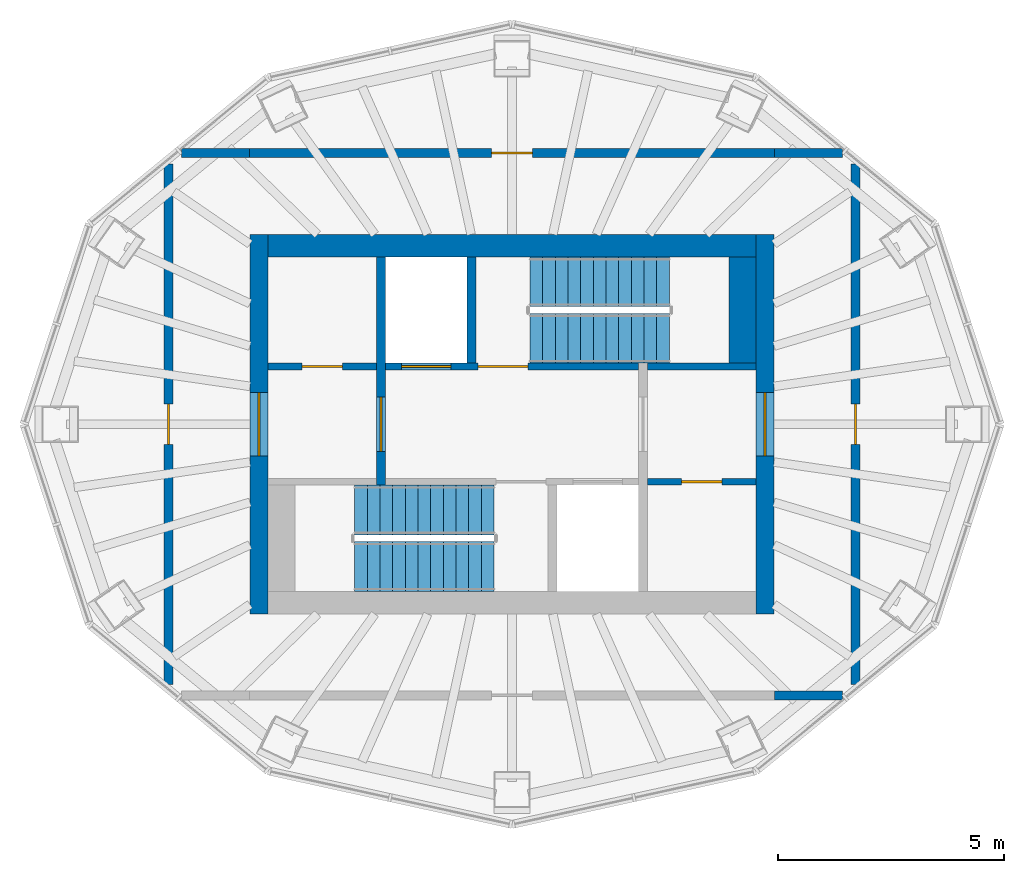
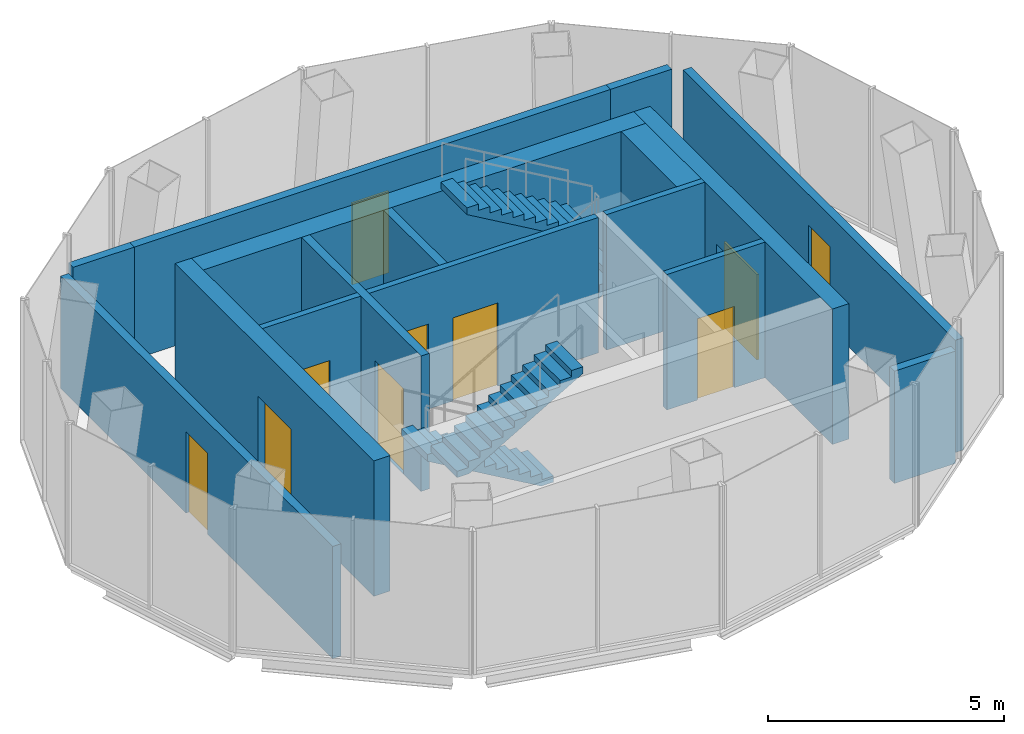
# One storey, part 4 of 5: 16 walls, 10 doors, 4 stair flights, 10 openings, 2 elements without a shape of their own.
"""IFC4 building model written with IfcOpenShell, lengths in metres."""

from ifc_helpers import new_model, si_unit, direction, frame, frame_2d, origin, place, context, subcontext, project, spatial, polyline, rectangle, outline, extrude, material, layer, layer_set, type_object, element, fill, aggregate, save


model = new_model("IFC4")

# Units and contexts
model_context = context("Model", 3, precision=1e-05, world=origin(), true_north=direction((0.0, 1.0)))
body_context = subcontext(model_context, "Body", "Model", "MODEL_VIEW")
ifc_project = project(units=[si_unit("LENGTHUNIT", "METRE"), si_unit("AREAUNIT", "SQUARE_METRE"), si_unit("VOLUMEUNIT", "CUBIC_METRE"), si_unit("PLANEANGLEUNIT", "RADIAN"), si_unit("MASSUNIT", "GRAM", prefix="KILO")], contexts=[model_context])

# Site, building, storey
site_placement = place(None, origin())
site = spatial("IfcSite", under=ifc_project, at=site_placement, CompositionType="ELEMENT")
building_placement = place(site_placement, origin())
building = spatial("IfcBuilding", under=site, at=building_placement, Name="Siaravel Broadcast Tower", CompositionType="ELEMENT")
storey_placement = place(building_placement, frame((0.0, 0.0, 288.199951171875)))
storey = spatial("IfcBuildingStorey", under=building, at=storey_placement, Name="L70", CompositionType="ELEMENT", Elevation=288.199951171875)

# Wall, opening, door
ifc_material_1 = material(Name="Concrete C60/75", Category="concrete")
ifc_layer_1 = layer(ifc_material_1, 0.39990234375)
ifc_layer_set_1 = layer_set([ifc_layer_1], Name="Concrete C60/75")
wall_type_1 = type_object("IfcWallType", Name="Core wall 400", PredefinedType="SHEAR", material=ifc_layer_set_1)
wall_1_placement = place(storey_placement, frame((-5.60009765625, -4.199951171875, 0.0), z_axis=(0.0, 0.0, 1.0), x_axis=(0.0, 1.0, 0.0)))
wall_1 = element("IfcWall", 1, at=wall_1_placement, inside=storey, type_object=wall_type_1, Name="L70 core wall OW", PredefinedType="SHEAR", context=body_context, shape_type="SweptSolid", body=[
    extrude(rectangle(XDim=8.39990234375, YDim=0.39990234375, at=frame_2d((4.199951171875, 0.0))), origin(), (0.0, 0.0, 1.0), 3.5),
])
opening_1_placement = place(wall_1_placement, frame((3.5, 0.0, 0.0)))
opening_1 = element("IfcOpeningElement", 2, at=opening_1_placement, cuts=wall_1, Name="Opening L70-DX-W", PredefinedType="OPENING", context=body_context, shape_type="SweptSolid", body=[
    extrude(rectangle(XDim=1.39990234375, YDim=2.199951171875, at=frame_2d((0.699951171875, 1.10009765625))), frame((0.0, 0.2099609375, 0.0), z_axis=(0.0, -1.0, 0.0), x_axis=(1.0, 0.0, 0.0)), (0.0, 0.0, 1.0), 0.419921875),
])
ifc_material_2 = material(Name="Steel", Category="steel")
door_type_1 = type_object("IfcDoorType", Name="Core exit door 1400", OperationType="DOUBLE_DOOR_SINGLE_SWING", PredefinedType="DOOR", material=ifc_material_2)
door_1_placement = place(opening_1_placement, origin())
door_1 = element("IfcDoor", 3, at=door_1_placement, inside=storey, type_object=door_type_1, Name="L70 door DX-W", OperationType="DOUBLE_DOOR_SINGLE_SWING", OverallHeight=2.199951171875, OverallWidth=1.39990234375, PredefinedType="DOOR", context=body_context, shape_type="SweptSolid", body=[
    extrude(rectangle(XDim=1.39990234375, YDim=2.199951171875, at=frame_2d((0.699951171875, 1.10009765625))), frame((0.0, 0.02490234375, 0.0), z_axis=(0.0, -1.0, 0.0), x_axis=(1.0, 0.0, 0.0)), (0.0, 0.0, 1.0), 0.050048828125),
])
fill(opening_1, door_1)

wall_2_placement = place(storey_placement, frame((5.60009765625, -4.199951171875, 0.0), z_axis=(0.0, 0.0, 1.0), x_axis=(0.0, 1.0, 0.0)))
wall_2 = element("IfcWall", 4, at=wall_2_placement, inside=storey, type_object=wall_type_1, Name="L70 core wall OE", PredefinedType="SHEAR", context=body_context, shape_type="SweptSolid", body=[
    extrude(rectangle(XDim=8.39990234375, YDim=0.39990234375, at=frame_2d((4.199951171875, 0.0))), origin(), (0.0, 0.0, 1.0), 3.5),
])
opening_2_placement = place(wall_2_placement, frame((3.5, 0.0, 0.0)))
opening_2 = element("IfcOpeningElement", 5, at=opening_2_placement, cuts=wall_2, Name="Opening L70-DX-E", PredefinedType="OPENING", context=body_context, shape_type="SweptSolid", body=[
    extrude(rectangle(XDim=1.39990234375, YDim=2.199951171875, at=frame_2d((0.699951171875, 1.10009765625))), frame((0.0, 0.2099609375, 0.0), z_axis=(0.0, -1.0, 0.0), x_axis=(1.0, 0.0, 0.0)), (0.0, 0.0, 1.0), 0.419921875),
])
door_2_placement = place(opening_2_placement, origin())
door_2 = element("IfcDoor", 6, at=door_2_placement, inside=storey, type_object=door_type_1, Name="L70 door DX-E", OperationType="DOUBLE_DOOR_SINGLE_SWING", OverallHeight=2.199951171875, OverallWidth=1.39990234375, PredefinedType="DOOR", context=body_context, shape_type="SweptSolid", body=[
    extrude(rectangle(XDim=1.39990234375, YDim=2.199951171875, at=frame_2d((0.699951171875, 1.10009765625))), frame((0.0, 0.02490234375, 0.0), z_axis=(0.0, -1.0, 0.0), x_axis=(1.0, 0.0, 0.0)), (0.0, 0.0, 1.0), 0.050048828125),
])
fill(opening_2, door_2)

# Wall
ifc_layer_2 = layer(ifc_material_1, 0.5)
ifc_layer_set_2 = layer_set([ifc_layer_2], Name="Concrete C60/75")
wall_type_2 = type_object("IfcWallType", Name="Core wall 500", PredefinedType="SHEAR", material=ifc_layer_set_2)
wall_3_placement = place(storey_placement, frame((-5.39990234375, 3.949951171875, 0.0), z_axis=(0.0, 0.0, 1.0), x_axis=(1.0, 0.0, 0.0)))
element("IfcWall", 7, at=wall_3_placement, inside=storey, type_object=wall_type_2, Name="L70 core wall ON", PredefinedType="SHEAR", context=body_context, shape_type="SweptSolid", body=[
    extrude(rectangle(XDim=10.7998046875, YDim=0.5, at=frame_2d((5.39990234375, 0.0))), origin(), (0.0, 0.0, 1.0), 3.5),
])

# Wall, opening, door
ifc_material_3 = material(Name="Gypsum board partition", Category="gypsum")
ifc_layer_3 = layer(ifc_material_3, 0.14990234375)
ifc_layer_set_3 = layer_set([ifc_layer_3], Name="Gypsum board partition")
wall_type_3 = type_object("IfcWallType", Name="Corridor wall 150", PredefinedType="PARTITIONING", material=ifc_layer_set_3)
wall_4_placement = place(storey_placement, frame((3.0, -1.27490234375, 0.0), z_axis=(0.0, 0.0, 1.0), x_axis=(1.0, 0.0, 0.0)))
wall_4 = element("IfcWall", 8, at=wall_4_placement, inside=storey, type_object=wall_type_3, Name="L70 core partition CSE", PredefinedType="PARTITIONING", context=body_context, shape_type="SweptSolid", body=[
    extrude(rectangle(XDim=2.39990234375, YDim=0.14990234375, at=frame_2d((1.199951171875, 0.0))), origin(), (0.0, 0.0, 1.0), 3.5),
])
opening_3_placement = place(wall_4_placement, frame((0.75, 0.0, 0.0)))
opening_3 = element("IfcOpeningElement", 9, at=opening_3_placement, cuts=wall_4, Name="Opening L70-DCSE", PredefinedType="OPENING", context=body_context, shape_type="SweptSolid", body=[
    extrude(rectangle(XDim=0.89990234375, YDim=2.10009765625, at=frame_2d((0.449951171875, 1.050048828125))), frame((0.0, 0.0849609375, 0.0), z_axis=(0.0, -1.0, 0.0), x_axis=(1.0, 0.0, 0.0)), (0.0, 0.0, 1.0), 0.169921875),
])
ifc_material_4 = material(Name="Timber veneer", Category="wood")
door_type_2 = type_object("IfcDoorType", Name="Core room door 900", OperationType="SINGLE_SWING_LEFT", PredefinedType="DOOR", material=ifc_material_4)
door_3_placement = place(opening_3_placement, origin())
door_3 = element("IfcDoor", 10, at=door_3_placement, inside=storey, type_object=door_type_2, Name="L70 door DCSE", OperationType="SINGLE_SWING_LEFT", OverallHeight=2.10009765625, OverallWidth=0.89990234375, PredefinedType="DOOR", context=body_context, shape_type="SweptSolid", body=[
    extrude(rectangle(XDim=0.89990234375, YDim=2.10009765625, at=frame_2d((0.449951171875, 1.050048828125))), frame((0.0, 0.02490234375, 0.0), z_axis=(0.0, -1.0, 0.0), x_axis=(1.0, 0.0, 0.0)), (0.0, 0.0, 1.0), 0.050048828125),
])
fill(opening_3, door_3)

wall_5_placement = place(storey_placement, frame((-5.39990234375, 1.27490234375, 0.0), z_axis=(0.0, 0.0, 1.0), x_axis=(1.0, 0.0, 0.0)))
wall_5 = element("IfcWall", 11, at=wall_5_placement, inside=storey, type_object=wall_type_3, Name="L70 core partition CNW", PredefinedType="PARTITIONING", context=body_context, shape_type="SweptSolid", body=[
    extrude(rectangle(XDim=2.39990234375, YDim=0.14990234375, at=frame_2d((1.199951171875, 0.0))), origin(), (0.0, 0.0, 1.0), 3.5),
])
opening_4_placement = place(wall_5_placement, frame((0.75, 0.0, 0.0)))
opening_4 = element("IfcOpeningElement", 12, at=opening_4_placement, cuts=wall_5, Name="Opening L70-DCNW", PredefinedType="OPENING", context=body_context, shape_type="SweptSolid", body=[
    extrude(rectangle(XDim=0.89990234375, YDim=2.10009765625, at=frame_2d((0.449951171875, 1.050048828125))), frame((0.0, 0.0849609375, 0.0), z_axis=(0.0, -1.0, 0.0), x_axis=(1.0, 0.0, 0.0)), (0.0, 0.0, 1.0), 0.169921875),
])
door_4_placement = place(opening_4_placement, origin())
door_4 = element("IfcDoor", 13, at=door_4_placement, inside=storey, type_object=door_type_2, Name="L70 door DCNW", OperationType="SINGLE_SWING_LEFT", OverallHeight=2.10009765625, OverallWidth=0.89990234375, PredefinedType="DOOR", context=body_context, shape_type="SweptSolid", body=[
    extrude(rectangle(XDim=0.89990234375, YDim=2.10009765625, at=frame_2d((0.449951171875, 1.050048828125))), frame((0.0, 0.02490234375, 0.0), z_axis=(0.0, -1.0, 0.0), x_axis=(1.0, 0.0, 0.0)), (0.0, 0.0, 1.0), 0.050048828125),
])
fill(opening_4, door_4)

ifc_material_5 = material(Name="Concrete blockwork", Category="masonry")
ifc_layer_4 = layer(ifc_material_5, 0.199951171875)
ifc_layer_set_4 = layer_set([ifc_layer_4], Name="Concrete blockwork")
wall_type_4 = type_object("IfcWallType", Name="Plant room wall 200", PredefinedType="PARTITIONING", material=ifc_layer_set_4)
wall_6_placement = place(storey_placement, frame((5.81201171875, 6.0, 0.0), z_axis=(0.0, 0.0, 1.0), x_axis=(-1.0, 0.0, 0.0)))
wall_6 = element("IfcWall", 14, at=wall_6_placement, inside=storey, type_object=wall_type_4, Name="L70 partition 2", PredefinedType="PARTITIONING", context=body_context, shape_type="SweptSolid", body=[
    extrude(rectangle(XDim=11.6240234375, YDim=0.199951171875, at=frame_2d((5.81201171875, 0.0))), origin(), (0.0, 0.0, 1.0), 2.900146484375),
])
opening_5_placement = place(wall_6_placement, frame((5.362060546875, 0.0, 0.0)))
opening_5 = element("IfcOpeningElement", 15, at=opening_5_placement, cuts=wall_6, Name="Opening L70-003", PredefinedType="OPENING", context=body_context, shape_type="SweptSolid", body=[
    extrude(rectangle(XDim=0.89990234375, YDim=2.10009765625, at=frame_2d((0.449951171875, 1.050048828125))), frame((0.0, 0.10986328125, 0.0), z_axis=(0.0, -1.0, 0.0), x_axis=(1.0, 0.0, 0.0)), (0.0, 0.0, 1.0), 0.219970703125),
])
door_type_3 = type_object("IfcDoorType", Name="Plant room door 900", OperationType="SINGLE_SWING_LEFT", PredefinedType="DOOR", material=ifc_material_2)
door_5_placement = place(opening_5_placement, origin())
door_5 = element("IfcDoor", 16, at=door_5_placement, inside=storey, type_object=door_type_3, Name="L70 door to Mechanical plant room", OperationType="SINGLE_SWING_LEFT", OverallHeight=2.10009765625, OverallWidth=0.89990234375, PredefinedType="DOOR", context=body_context, shape_type="SweptSolid", body=[
    extrude(rectangle(XDim=0.89990234375, YDim=2.10009765625, at=frame_2d((0.449951171875, 1.050048828125))), frame((0.0, 0.02490234375, 0.0), z_axis=(0.0, -1.0, 0.0), x_axis=(1.0, 0.0, 0.0)), (0.0, 0.0, 1.0), 0.050048828125),
])
fill(opening_5, door_5)

wall_7_placement = place(storey_placement, frame((7.60009765625, -5.75537109375, 0.0), z_axis=(0.0, 0.0, 1.0), x_axis=(0.0, 1.0, 0.0)))
wall_7 = element("IfcWall", 17, at=wall_7_placement, inside=storey, type_object=wall_type_4, Name="L70 partition 3", PredefinedType="PARTITIONING", context=body_context, shape_type="SweptSolid", body=[
    extrude(rectangle(XDim=11.5107421875, YDim=0.199951171875, at=frame_2d((5.75537109375, 0.0))), origin(), (0.0, 0.0, 1.0), 2.900146484375),
])
opening_6_placement = place(wall_7_placement, frame((5.305419921875, 0.0, 0.0)))
opening_6 = element("IfcOpeningElement", 18, at=opening_6_placement, cuts=wall_7, Name="Opening L70-002", PredefinedType="OPENING", context=body_context, shape_type="SweptSolid", body=[
    extrude(rectangle(XDim=0.89990234375, YDim=2.10009765625, at=frame_2d((0.449951171875, 1.050048828125))), frame((0.0, 0.10986328125, 0.0), z_axis=(0.0, -1.0, 0.0), x_axis=(1.0, 0.0, 0.0)), (0.0, 0.0, 1.0), 0.219970703125),
])
door_6_placement = place(opening_6_placement, origin())
door_6 = element("IfcDoor", 19, at=door_6_placement, inside=storey, type_object=door_type_3, Name="L70 door to Telecoms room", OperationType="SINGLE_SWING_RIGHT", OverallHeight=2.10009765625, OverallWidth=0.89990234375, PredefinedType="DOOR", context=body_context, shape_type="SweptSolid", body=[
    extrude(rectangle(XDim=0.89990234375, YDim=2.10009765625, at=frame_2d((0.449951171875, 1.050048828125))), frame((0.0, 0.02490234375, 0.0), z_axis=(0.0, -1.0, 0.0), x_axis=(1.0, 0.0, 0.0)), (0.0, 0.0, 1.0), 0.050048828125),
])
fill(opening_6, door_6)

wall_8_placement = place(storey_placement, frame((-7.60009765625, 5.75537109375, 0.0), z_axis=(0.0, 0.0, 1.0), x_axis=(0.0, -1.0, 0.0)))
wall_8 = element("IfcWall", 20, at=wall_8_placement, inside=storey, type_object=wall_type_4, Name="L70 partition 4", PredefinedType="PARTITIONING", context=body_context, shape_type="SweptSolid", body=[
    extrude(rectangle(XDim=11.5107421875, YDim=0.199951171875, at=frame_2d((5.75537109375, 0.0))), origin(), (0.0, 0.0, 1.0), 2.900146484375),
])
opening_7_placement = place(wall_8_placement, frame((5.305419921875, 0.0, 0.0)))
opening_7 = element("IfcOpeningElement", 21, at=opening_7_placement, cuts=wall_8, Name="Opening L70-001", PredefinedType="OPENING", context=body_context, shape_type="SweptSolid", body=[
    extrude(rectangle(XDim=0.89990234375, YDim=2.10009765625, at=frame_2d((0.449951171875, 1.050048828125))), frame((0.0, 0.10986328125, 0.0), z_axis=(0.0, -1.0, 0.0), x_axis=(1.0, 0.0, 0.0)), (0.0, 0.0, 1.0), 0.219970703125),
])
door_7_placement = place(opening_7_placement, origin())
door_7 = element("IfcDoor", 22, at=door_7_placement, inside=storey, type_object=door_type_3, Name="L70 door to Electrical plant room", OperationType="SINGLE_SWING_LEFT", OverallHeight=2.10009765625, OverallWidth=0.89990234375, PredefinedType="DOOR", context=body_context, shape_type="SweptSolid", body=[
    extrude(rectangle(XDim=0.89990234375, YDim=2.10009765625, at=frame_2d((0.449951171875, 1.050048828125))), frame((0.0, 0.02490234375, 0.0), z_axis=(0.0, -1.0, 0.0), x_axis=(1.0, 0.0, 0.0)), (0.0, 0.0, 1.0), 0.050048828125),
])
fill(opening_7, door_7)

# Walls
for number, where, z_axis, x_axis, name in (
    (23, (5.81298828125, -6.0, 0.0), (0.0, 0.0, 1.0), (1.0, 0.0, 0.0), "L70 partition 6"),
    (24, (7.3125, 6.0, 0.0), (0.0, 0.0, 1.0), (-1.0, 0.0, 0.0), "L70 partition 7"),
):
    element("IfcWall", number, at=place(storey_placement, frame(where, z_axis=z_axis, x_axis=x_axis)), inside=storey, type_object=wall_type_4, Name=name, PredefinedType="PARTITIONING", context=body_context, shape_type="SweptSolid", body=[
        extrude(rectangle(XDim=1.49951171875, YDim=0.199951171875, at=frame_2d((0.749755859375, 0.0))), origin(), (0.0, 0.0, 1.0), 2.900146484375),
    ])
wall_9_placement = place(storey_placement, frame((-5.81298828125, 6.0, 0.0), z_axis=(0.0, 0.0, 1.0), x_axis=(-1.0, 0.0, 0.0)))
element("IfcWall", 25, at=wall_9_placement, inside=storey, type_object=wall_type_4, Name="L70 partition 8", PredefinedType="PARTITIONING", context=body_context, shape_type="SweptSolid", body=[
    extrude(rectangle(XDim=1.499267578125, YDim=0.199951171875, at=frame_2d((0.74951171875, 0.0))), origin(), (0.0, 0.0, 1.0), 2.900146484375),
])

# Wall, openings, doors
ifc_layer_5 = layer(ifc_material_1, 0.14990234375)
ifc_layer_set_5 = layer_set([ifc_layer_5], Name="Concrete C60/75")
wall_type_5 = type_object("IfcWallType", Name="Shaft wall 150", PredefinedType="SHEAR", material=ifc_layer_set_5)
wall_10_placement = place(storey_placement, frame((-2.800048828125, 1.27490234375, 0.0), z_axis=(0.0, 0.0, 1.0), x_axis=(1.0, 0.0, 0.0)))
wall_10 = element("IfcWall", 26, at=wall_10_placement, inside=storey, type_object=wall_type_5, Name="L70 core wall CNM", PredefinedType="SHEAR", context=body_context, shape_type="SweptSolid", body=[
    extrude(rectangle(XDim=5.60009765625, YDim=0.14990234375, at=frame_2d((2.800048828125, 0.0))), origin(), (0.0, 0.0, 1.0), 3.5),
])
opening_8_placement = place(wall_10_placement, frame((0.35009765625, 0.0, 0.0)))
opening_8 = element("IfcOpeningElement", 27, at=opening_8_placement, cuts=wall_10, Name="Opening LD-FL1-L70", PredefinedType="OPENING", context=body_context, shape_type="SweptSolid", body=[
    extrude(rectangle(XDim=1.10009765625, YDim=2.199951171875, at=frame_2d((0.550048828125, 1.10009765625))), frame((0.0, 0.0849609375, 0.0), z_axis=(0.0, -1.0, 0.0), x_axis=(1.0, 0.0, 0.0)), (0.0, 0.0, 1.0), 0.169921875),
])
opening_9_placement = place(wall_10_placement, frame((2.050048828125, 0.0, 0.0)))
opening_9 = element("IfcOpeningElement", 28, at=opening_9_placement, cuts=wall_10, Name="Opening L70-DS-C1", PredefinedType="OPENING", context=body_context, shape_type="SweptSolid", body=[
    extrude(rectangle(XDim=1.10009765625, YDim=2.14990234375, at=frame_2d((0.550048828125, 1.074951171875))), frame((0.0, 0.0849609375, 0.0), z_axis=(0.0, -1.0, 0.0), x_axis=(1.0, 0.0, 0.0)), (0.0, 0.0, 1.0), 0.169921875),
])
ifc_material_6 = material(Name="Stainless steel 316L", Category="steel")
door_type_4 = type_object("IfcDoorType", Name="Firefighting lift landing door 1100", OperationType="DOUBLE_DOOR_SLIDING", PredefinedType="DOOR", material=ifc_material_6)
door_8_placement = place(opening_8_placement, origin())
door_8 = element("IfcDoor", 29, at=door_8_placement, inside=storey, type_object=door_type_4, Name="Landing door FL1 L70", OperationType="DOUBLE_DOOR_SLIDING", OverallHeight=2.199951171875, OverallWidth=1.10009765625, PredefinedType="DOOR", context=body_context, shape_type="SweptSolid", body=[
    extrude(rectangle(XDim=1.10009765625, YDim=2.199951171875, at=frame_2d((0.550048828125, 1.10009765625))), frame((0.0, 0.02490234375, 0.0), z_axis=(0.0, -1.0, 0.0), x_axis=(1.0, 0.0, 0.0)), (0.0, 0.0, 1.0), 0.050048828125),
])
fill(opening_8, door_8)
door_type_5 = type_object("IfcDoorType", Name="Stair door 1100", OperationType="SINGLE_SWING_LEFT", PredefinedType="DOOR", material=ifc_material_2)
door_9_placement = place(opening_9_placement, origin())
door_9 = element("IfcDoor", 30, at=door_9_placement, inside=storey, type_object=door_type_5, Name="L70 door DS-C1", OperationType="SINGLE_SWING_LEFT", OverallHeight=2.14990234375, OverallWidth=1.10009765625, PredefinedType="DOOR", context=body_context, shape_type="SweptSolid", body=[
    extrude(rectangle(XDim=1.10009765625, YDim=2.14990234375, at=frame_2d((0.550048828125, 1.074951171875))), frame((0.0, 0.02490234375, 0.0), z_axis=(0.0, -1.0, 0.0), x_axis=(1.0, 0.0, 0.0)), (0.0, 0.0, 1.0), 0.050048828125),
])
fill(opening_9, door_9)

# Wall
wall_11_placement = place(storey_placement, frame((3.0, 1.27490234375, 0.0), z_axis=(0.0, 0.0, 1.0), x_axis=(1.0, 0.0, 0.0)))
element("IfcWall", 31, at=wall_11_placement, inside=storey, type_object=wall_type_5, Name="L70 core wall CNE", PredefinedType="SHEAR", context=body_context, shape_type="SweptSolid", body=[
    extrude(rectangle(XDim=2.39990234375, YDim=0.14990234375, at=frame_2d((1.199951171875, 0.0))), origin(), (0.0, 0.0, 1.0), 3.5),
])

# Wall, opening, door
ifc_layer_6 = layer(ifc_material_1, 0.199951171875)
ifc_layer_set_6 = layer_set([ifc_layer_6], Name="Concrete C60/75")
wall_type_6 = type_object("IfcWallType", Name="Shaft wall 200", PredefinedType="SHEAR", material=ifc_layer_set_6)
wall_12_placement = place(storey_placement, frame((-2.89990234375, -1.35009765625, 0.0), z_axis=(0.0, 0.0, 1.0), x_axis=(0.0, 1.0, 0.0)))
wall_12 = element("IfcWall", 32, at=wall_12_placement, inside=storey, type_object=wall_type_6, Name="L70 core wall LW", PredefinedType="SHEAR", context=body_context, shape_type="SweptSolid", body=[
    extrude(rectangle(XDim=5.050048828125, YDim=0.199951171875, at=frame_2d((2.52490234375, 0.0))), origin(), (0.0, 0.0, 1.0), 3.5),
])
opening_10_placement = place(wall_12_placement, frame((0.75, 0.0, 0.0)))
opening_10 = element("IfcOpeningElement", 33, at=opening_10_placement, cuts=wall_12, Name="Opening L70-DL-W", PredefinedType="OPENING", context=body_context, shape_type="SweptSolid", body=[
    extrude(rectangle(XDim=1.199951171875, YDim=2.199951171875, at=frame_2d((0.60009765625, 1.10009765625))), frame((0.0, 0.10986328125, 0.0), z_axis=(0.0, -1.0, 0.0), x_axis=(1.0, 0.0, 0.0)), (0.0, 0.0, 1.0), 0.219970703125),
])
door_type_6 = type_object("IfcDoorType", Name="Firefighting lobby door 1200", OperationType="SINGLE_SWING_LEFT", PredefinedType="DOOR", material=ifc_material_2)
door_10_placement = place(opening_10_placement, origin())
door_10 = element("IfcDoor", 34, at=door_10_placement, inside=storey, type_object=door_type_6, Name="L70 door DL-W", OperationType="SINGLE_SWING_LEFT", OverallHeight=2.199951171875, OverallWidth=1.199951171875, PredefinedType="DOOR", context=body_context, shape_type="SweptSolid", body=[
    extrude(rectangle(XDim=1.199951171875, YDim=2.199951171875, at=frame_2d((0.60009765625, 1.10009765625))), frame((0.0, 0.02490234375, 0.0), z_axis=(0.0, -1.0, 0.0), x_axis=(1.0, 0.0, 0.0)), (0.0, 0.0, 1.0), 0.050048828125),
])
fill(opening_10, door_10)

# Walls
wall_13_placement = place(storey_placement, frame((-0.89990234375, 1.35009765625, 0.0), z_axis=(0.0, 0.0, 1.0), x_axis=(0.0, 1.0, 0.0)))
element("IfcWall", 35, at=wall_13_placement, inside=storey, type_object=wall_type_6, Name="L70 core wall FF1E", PredefinedType="SHEAR", context=body_context, shape_type="SweptSolid", body=[
    extrude(rectangle(XDim=2.349853515625, YDim=0.199951171875, at=frame_2d((1.1748046875, 0.0))), origin(), (0.0, 0.0, 1.0), 3.5),
])
ifc_layer_7 = layer(ifc_material_1, 0.60009765625)
ifc_layer_set_7 = layer_set([ifc_layer_7], Name="Concrete C60/75")
wall_type_7 = type_object("IfcWallType", Name="Shaft wall 600", PredefinedType="SHEAR", material=ifc_layer_set_7)
wall_14_placement = place(storey_placement, frame((5.10009765625, 1.35009765625, 0.0), z_axis=(0.0, 0.0, 1.0), x_axis=(0.0, 1.0, 0.0)))
element("IfcWall", 36, at=wall_14_placement, inside=storey, type_object=wall_type_7, Name="L70 core wall STCE", PredefinedType="SHEAR", context=body_context, shape_type="SweptSolid", body=[
    extrude(rectangle(XDim=2.349853515625, YDim=0.60009765625, at=frame_2d((1.1748046875, 0.0))), origin(), (0.0, 0.0, 1.0), 3.5),
])

# Stair, stair flights
ifc_material_7 = material(Name="Concrete C40/50", Category="concrete")
stair_type = type_object("IfcStairType", Name="Core exit stair", PredefinedType="HALF_TURN_STAIR", material=ifc_material_7)
stair_1_placement = place(storey_placement, origin())
stair_1 = element("IfcStair", 37, at=stair_1_placement, inside=storey, type_object=stair_type, Name="L70 Exit stair ST-C1", PredefinedType="HALF_TURN_STAIR")
stair_flight_type = type_object("IfcStairFlightType", Name="Stair flight 1100", PredefinedType="STRAIGHT", material=ifc_material_7)
stair_flight_1_placement = place(storey_placement, frame((0.39990234375, 1.89990234375, 0.0), z_axis=(0.0, 0.0, 1.0), x_axis=(1.0, 0.0, 0.0)))
stair_flight_1 = element("IfcStairFlight", 38, at=stair_flight_1_placement, type_object=stair_flight_type, Name="ST-C1 flight 1", NumberOfRisers=12, NumberOfTreads=11, PredefinedType="STRAIGHT", RiserHeight=0.1625, TreadLength=0.28, context=body_context, shape_type="SweptSolid", body=[
    extrude(outline(polyline([(0.0, 0.0), (0.0, 0.16259765625), (0.280029296875, 0.16259765625), (0.280029296875, 0.324951171875), (0.56005859375, 0.324951171875), (0.56005859375, 0.487548828125), (0.840087890625, 0.487548828125), (0.840087890625, 0.64990234375), (1.1201171875, 0.64990234375), (1.1201171875, 0.8125), (1.39990234375, 0.8125), (1.39990234375, 0.97509765625), (1.679931640625, 0.97509765625), (1.679931640625, 1.137451171875), (1.9599609375, 1.137451171875), (1.9599609375, 1.300048828125), (2.239990234375, 1.300048828125), (2.239990234375, 1.46240234375), (2.52001953125, 1.46240234375), (2.52001953125, 1.625), (2.800048828125, 1.625), (2.800048828125, 1.78759765625), (3.080078125, 1.78759765625), (3.080078125, 1.949951171875), (3.080078125, 1.6142578125), (0.298583984375, 0.0), (0.0, 0.0)])), frame((0.0, 0.550048828125, 0.0), z_axis=(0.0, -1.0, 0.0), x_axis=(1.0, 0.0, 0.0)), (0.0, 0.0, 1.0), 1.10009765625),
])
stair_flight_2_placement = place(storey_placement, frame((3.47998046875, 3.14990234375, 1.949951171875), z_axis=(0.0, 0.0, 1.0), x_axis=(-1.0, 0.0, 0.0)))
stair_flight_2 = element("IfcStairFlight", 39, at=stair_flight_2_placement, type_object=stair_flight_type, Name="ST-C1 flight 2", NumberOfRisers=12, NumberOfTreads=11, PredefinedType="STRAIGHT", RiserHeight=0.1625, TreadLength=0.28, context=body_context, shape_type="SweptSolid", body=[
    extrude(outline(polyline([(0.0, 0.0), (0.0, 0.16259765625), (0.280029296875, 0.16259765625), (0.280029296875, 0.324951171875), (0.56005859375, 0.324951171875), (0.56005859375, 0.487548828125), (0.840087890625, 0.487548828125), (0.840087890625, 0.64990234375), (1.1201171875, 0.64990234375), (1.1201171875, 0.8125), (1.39990234375, 0.8125), (1.39990234375, 0.97509765625), (1.679931640625, 0.97509765625), (1.679931640625, 1.137451171875), (1.9599609375, 1.137451171875), (1.9599609375, 1.300048828125), (2.239990234375, 1.300048828125), (2.239990234375, 1.46240234375), (2.52001953125, 1.46240234375), (2.52001953125, 1.625), (2.800048828125, 1.625), (2.800048828125, 1.78759765625), (3.080078125, 1.78759765625), (3.080078125, 1.949951171875), (3.080078125, 1.6142578125), (0.298583984375, 0.0), (0.0, 0.0)])), frame((0.0, 0.550048828125, 0.0), z_axis=(0.0, -1.0, 0.0), x_axis=(1.0, 0.0, 0.0)), (0.0, 0.0, 1.0), 1.10009765625),
])
aggregate(stair_1, [stair_flight_1, stair_flight_2])

stair_2_placement = place(storey_placement, origin())
stair_2 = element("IfcStair", 40, at=stair_2_placement, inside=storey, type_object=stair_type, Name="L70 Exit stair ST-C2", PredefinedType="HALF_TURN_STAIR")
stair_flight_3_placement = place(storey_placement, frame((-0.39990234375, -1.89990234375, 0.0), z_axis=(0.0, 0.0, 1.0), x_axis=(-1.0, 0.0, 0.0)))
stair_flight_3 = element("IfcStairFlight", 41, at=stair_flight_3_placement, type_object=stair_flight_type, Name="ST-C2 flight 1", NumberOfRisers=12, NumberOfTreads=11, PredefinedType="STRAIGHT", RiserHeight=0.1625, TreadLength=0.28, context=body_context, shape_type="SweptSolid", body=[
    extrude(outline(polyline([(0.0, 0.0), (0.0, 0.16259765625), (0.280029296875, 0.16259765625), (0.280029296875, 0.324951171875), (0.56005859375, 0.324951171875), (0.56005859375, 0.487548828125), (0.840087890625, 0.487548828125), (0.840087890625, 0.64990234375), (1.1201171875, 0.64990234375), (1.1201171875, 0.8125), (1.39990234375, 0.8125), (1.39990234375, 0.97509765625), (1.679931640625, 0.97509765625), (1.679931640625, 1.137451171875), (1.9599609375, 1.137451171875), (1.9599609375, 1.300048828125), (2.239990234375, 1.300048828125), (2.239990234375, 1.46240234375), (2.52001953125, 1.46240234375), (2.52001953125, 1.625), (2.800048828125, 1.625), (2.800048828125, 1.78759765625), (3.080078125, 1.78759765625), (3.080078125, 1.949951171875), (3.080078125, 1.6142578125), (0.298583984375, 0.0), (0.0, 0.0)])), frame((0.0, 0.550048828125, 0.0), z_axis=(0.0, -1.0, 0.0), x_axis=(1.0, 0.0, 0.0)), (0.0, 0.0, 1.0), 1.10009765625),
])
stair_flight_4_placement = place(storey_placement, frame((-3.47998046875, -3.14990234375, 1.949951171875), z_axis=(0.0, 0.0, 1.0), x_axis=(1.0, 0.0, 0.0)))
stair_flight_4 = element("IfcStairFlight", 42, at=stair_flight_4_placement, type_object=stair_flight_type, Name="ST-C2 flight 2", NumberOfRisers=12, NumberOfTreads=11, PredefinedType="STRAIGHT", RiserHeight=0.1625, TreadLength=0.28, context=body_context, shape_type="SweptSolid", body=[
    extrude(outline(polyline([(0.0, 0.0), (0.0, 0.16259765625), (0.280029296875, 0.16259765625), (0.280029296875, 0.324951171875), (0.56005859375, 0.324951171875), (0.56005859375, 0.487548828125), (0.840087890625, 0.487548828125), (0.840087890625, 0.64990234375), (1.1201171875, 0.64990234375), (1.1201171875, 0.8125), (1.39990234375, 0.8125), (1.39990234375, 0.97509765625), (1.679931640625, 0.97509765625), (1.679931640625, 1.137451171875), (1.9599609375, 1.137451171875), (1.9599609375, 1.300048828125), (2.239990234375, 1.300048828125), (2.239990234375, 1.46240234375), (2.52001953125, 1.46240234375), (2.52001953125, 1.625), (2.800048828125, 1.625), (2.800048828125, 1.78759765625), (3.080078125, 1.78759765625), (3.080078125, 1.949951171875), (3.080078125, 1.6142578125), (0.298583984375, 0.0), (0.0, 0.0)])), frame((0.0, 0.550048828125, 0.0), z_axis=(0.0, -1.0, 0.0), x_axis=(1.0, 0.0, 0.0)), (0.0, 0.0, 1.0), 1.10009765625),
])
aggregate(stair_2, [stair_flight_3, stair_flight_4])

save(model, "model.ifc")
